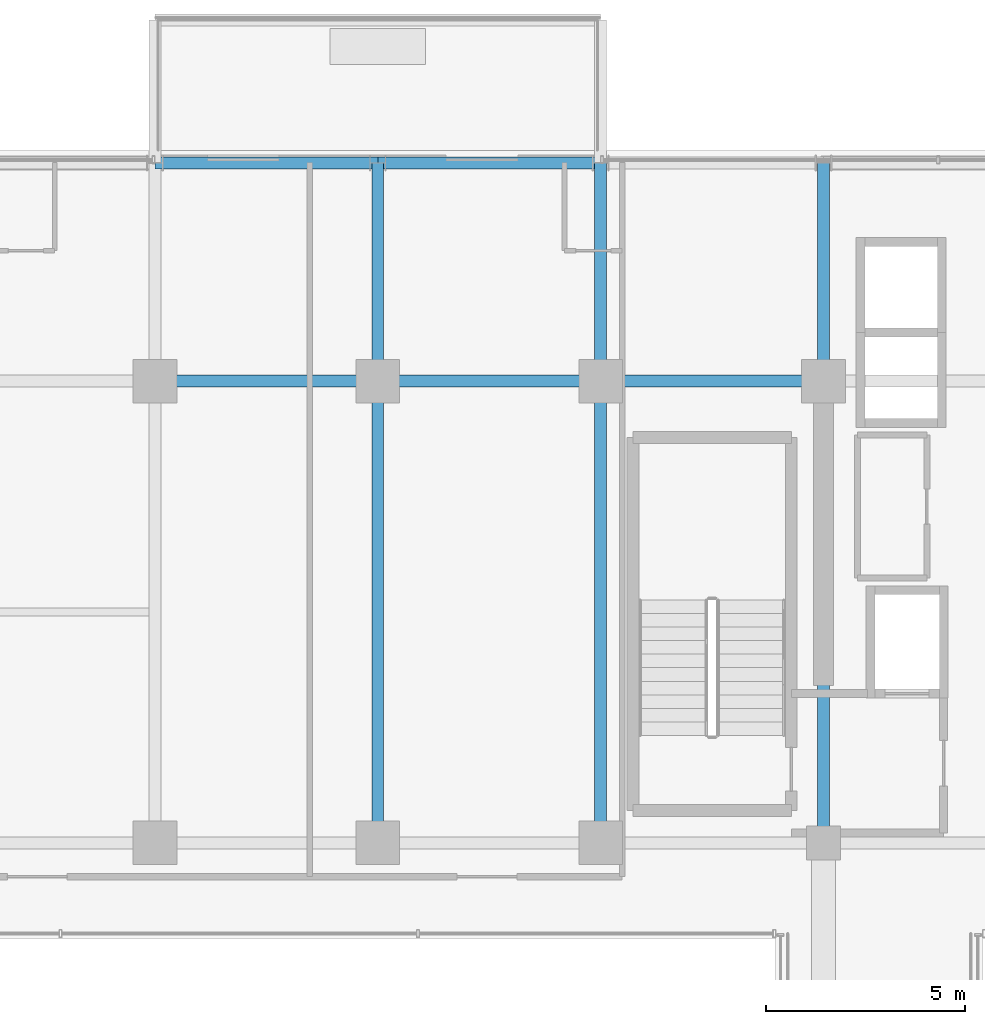
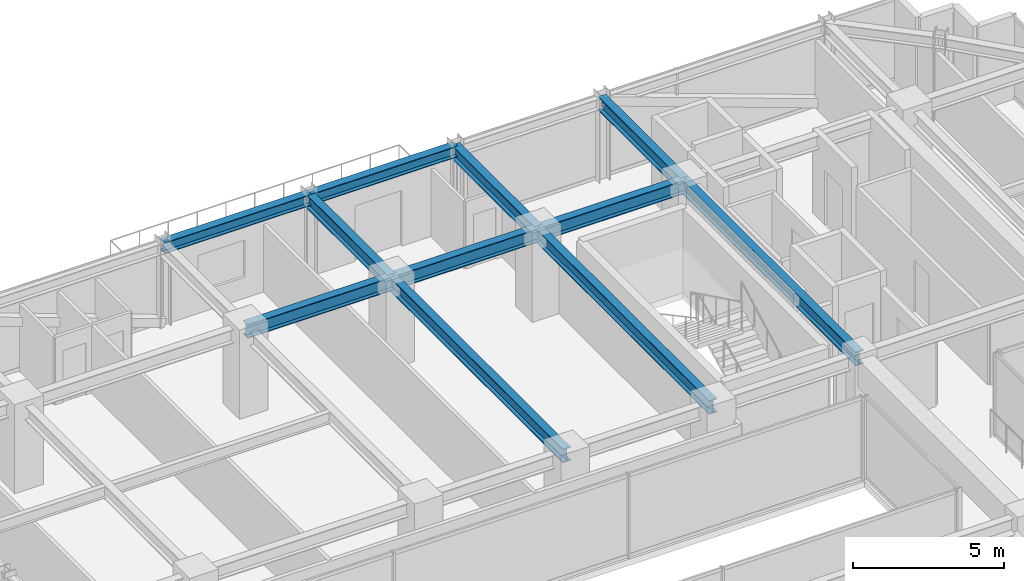
# One storey, part 23 of 41: 11 beams.
"""IFC4 building model written with IfcOpenShell, lengths in metres."""

from ifc_helpers import new_model, si_unit, direction, frame, origin, origin_2d, place, context, subcontext, project, spatial, i_section, extrude, source, transform, mapped, material, material_profile, profile_set, type_object, element, save


model = new_model("IFC4")

# Units and contexts
model_context = context("Model", 3, precision=1e-05, world=origin(), true_north=direction((0.0, 1.0)))
body_context = subcontext(model_context, "Body", "Model", "MODEL_VIEW")
ifc_project = project(units=[si_unit("LENGTHUNIT", "METRE"), si_unit("AREAUNIT", "SQUARE_METRE"), si_unit("VOLUMEUNIT", "CUBIC_METRE"), si_unit("PLANEANGLEUNIT", "RADIAN"), si_unit("MASSUNIT", "GRAM", prefix="KILO")], contexts=[model_context])

# Site, building, storey
site_placement = place(None, origin())
site = spatial("IfcSite", under=ifc_project, at=site_placement, CompositionType="ELEMENT")
building_placement = place(site_placement, origin())
building = spatial("IfcBuilding", under=site, at=building_placement, Name="Nahalor Promenade Grand Hotel", CompositionType="ELEMENT")
storey_placement = place(building_placement, frame((0.0, 0.0, 159.949951171875)))
storey = spatial("IfcBuildingStorey", under=building, at=storey_placement, Name="L40", CompositionType="ELEMENT", Elevation=159.949951171875)

# Beams
ifc_material = material(Name="Steel S355JR", Category="steel")
ifc_material_profile_1 = material_profile(ifc_material, i_section(OverallWidth=0.3, OverallDepth=0.55, WebThickness=0.015, FlangeThickness=0.029, at=origin_2d()), Name="HEB 550")
ifc_profile_set_1 = profile_set([ifc_material_profile_1], Name="Steel S355JR")
beam_type_1 = type_object("IfcBeamType", Name="Beam-Girder-HEB550", PredefinedType="BEAM", material=ifc_profile_set_1)
shared_shape_1 = source(origin(), body_context, "Body", "SweptSolid", [
    extrude(i_section(OverallWidth=0.3, OverallDepth=0.55, WebThickness=0.015, FlangeThickness=0.029, at=origin_2d()), origin(), (0.0, 0.0, 1.0), 5.599853515625),
])
for number, where, z_axis, x_axis, name in (
    (1, (-8.39990234375, 17.0, 3.114990234375), (1.0, 0.0, 0.0), (0.0, 1.0, 0.0), "BM-L40-GX-3-2"),
    (2, (2.800048828125, 17.0, 3.114990234375), (1.0, 0.0, 0.0), (0.0, 1.0, 0.0), "BM-L40-GX-3-4"),
):
    element("IfcBeam", number, at=place(storey_placement, frame(where, z_axis=z_axis, x_axis=x_axis)), inside=storey, type_object=beam_type_1, Name=name, PredefinedType="BEAM", context=body_context, shape_type="MappedRepresentation", body=[
        mapped(shared_shape_1, transform((0.0, 0.0, 0.0), scale=1.0)),
    ])
shared_shape_2 = source(origin(), body_context, "Body", "SweptSolid", [
    extrude(i_section(OverallWidth=0.3, OverallDepth=0.55, WebThickness=0.015, FlangeThickness=0.029, at=origin_2d()), origin(), (0.0, 0.0, 1.0), 5.60009765625),
])
beam_1_placement = place(storey_placement, frame((-2.800048828125, 17.0, 3.114990234375), z_axis=(1.0, 0.0, 0.0), x_axis=(0.0, 1.0, 0.0)))
element("IfcBeam", 3, at=beam_1_placement, inside=storey, type_object=beam_type_1, Name="BM-L40-GX-3-3", PredefinedType="BEAM", context=body_context, shape_type="MappedRepresentation", body=[
    mapped(shared_shape_2, transform((0.0, 0.0, 0.0), scale=1.0)),
])
shared_shape_3 = source(origin(), body_context, "Body", "SweptSolid", [
    extrude(i_section(OverallWidth=0.3, OverallDepth=0.55, WebThickness=0.015, FlangeThickness=0.029, at=origin_2d()), origin(), (0.0, 0.0, 1.0), 11.60009765625),
])
for number, where, z_axis, x_axis, name in (
    (4, (-2.800048828125, 5.39990234375, 3.114990234375), (0.0, 1.0, 0.0), (-1.0, 0.0, 0.0), "BM-L40-GY-2-3"),
    (5, (2.800048828125, 5.39990234375, 3.114990234375), (0.0, 1.0, 0.0), (-1.0, 0.0, 0.0), "BM-L40-GY-3-3"),
    (6, (8.39990234375, 5.39990234375, 3.114990234375), (0.0, 1.0, 0.0), (-1.0, 0.0, 0.0), "BM-L40-GY-4-3"),
):
    element("IfcBeam", number, at=place(storey_placement, frame(where, z_axis=z_axis, x_axis=x_axis)), inside=storey, type_object=beam_type_1, Name=name, PredefinedType="BEAM", context=body_context, shape_type="MappedRepresentation", body=[
        mapped(shared_shape_3, transform((0.0, 0.0, 0.0), scale=1.0)),
    ])
shared_shape_4 = source(origin(), body_context, "Body", "SweptSolid", [
    extrude(i_section(OverallWidth=0.3, OverallDepth=0.55, WebThickness=0.015, FlangeThickness=0.029, at=origin_2d()), origin(), (0.0, 0.0, 1.0), 5.47998046875),
])
for number, where, z_axis, x_axis, name in (
    (7, (-2.800048828125, 17.0, 3.114990234375), (0.0, 1.0, 0.0), (-1.0, 0.0, 0.0), "BM-L40-GY-2-4"),
    (8, (2.800048828125, 17.0, 3.114990234375), (0.0, 1.0, 0.0), (-1.0, 0.0, 0.0), "BM-L40-GY-3-4"),
    (9, (8.39990234375, 17.0, 3.114990234375), (0.0, 1.0, 0.0), (-1.0, 0.0, 0.0), "BM-L40-GY-4-4"),
):
    element("IfcBeam", number, at=place(storey_placement, frame(where, z_axis=z_axis, x_axis=x_axis)), inside=storey, type_object=beam_type_1, Name=name, PredefinedType="BEAM", context=body_context, shape_type="MappedRepresentation", body=[
        mapped(shared_shape_4, transform((0.0, 0.0, 0.0), scale=1.0)),
    ])
ifc_material_profile_2 = material_profile(ifc_material, i_section(OverallWidth=0.3, OverallDepth=0.45, WebThickness=0.014, FlangeThickness=0.026, at=origin_2d()), Name="HEB 450")
ifc_profile_set_2 = profile_set([ifc_material_profile_2], Name="Steel S355JR")
beam_type_2 = type_object("IfcBeamType", Name="Beam-Spandrel-HEB450", PredefinedType="SPANDREL", material=ifc_profile_set_2)
shared_shape_5 = source(origin(), body_context, "Body", "SweptSolid", [
    extrude(i_section(OverallWidth=0.3, OverallDepth=0.45, WebThickness=0.014, FlangeThickness=0.026, at=origin_2d()), origin(), (0.0, 0.0, 1.0), 5.599853515625),
])
beam_2_placement = place(storey_placement, frame((-8.39990234375, 22.47998046875, 3.1650390625), z_axis=(1.0, 0.0, 0.0), x_axis=(0.0, 1.0, 0.0)))
element("IfcBeam", 10, at=beam_2_placement, inside=storey, type_object=beam_type_2, Name="BM-L40-SP-N-1", PredefinedType="SPANDREL", context=body_context, shape_type="MappedRepresentation", body=[
    mapped(shared_shape_5, transform((0.0, 0.0, 0.0), scale=1.0)),
])
shared_shape_6 = source(origin(), body_context, "Body", "SweptSolid", [
    extrude(i_section(OverallWidth=0.3, OverallDepth=0.45, WebThickness=0.014, FlangeThickness=0.026, at=origin_2d()), origin(), (0.0, 0.0, 1.0), 5.60009765625),
])
beam_3_placement = place(storey_placement, frame((-2.800048828125, 22.47998046875, 3.1650390625), z_axis=(1.0, 0.0, 0.0), x_axis=(0.0, 1.0, 0.0)))
element("IfcBeam", 11, at=beam_3_placement, inside=storey, type_object=beam_type_2, Name="BM-L40-SP-N-2", PredefinedType="SPANDREL", context=body_context, shape_type="MappedRepresentation", body=[
    mapped(shared_shape_6, transform((0.0, 0.0, 0.0), scale=1.0)),
])

save(model, "model.ifc")
